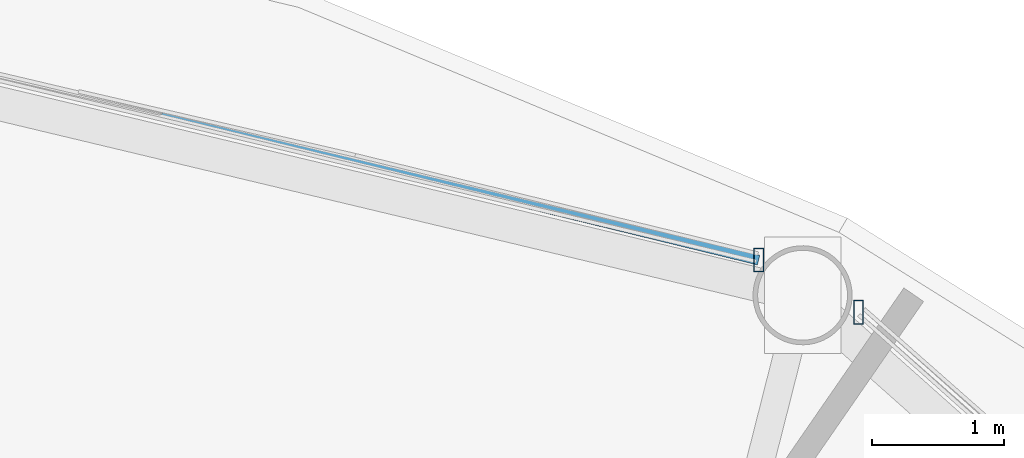
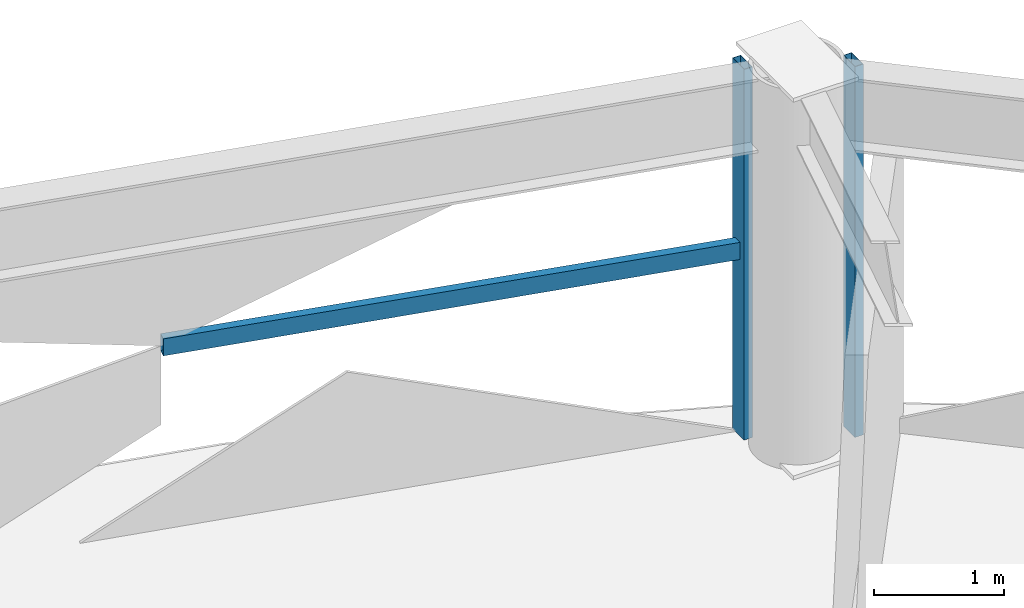
# One storey, part 21 of 31: 3 members, 2 elements without a shape of their own.
"""IFC4 building model written with IfcOpenShell, lengths in metres."""

import ifcopenshell
import ifcopenshell.guid

model = None  # the IFC model being written
_history = None  # IfcOwnerHistory: only IFC2X3 demands one
_inside = {}  # id of a spatial element -> (the spatial element, [elements in it])
_under = {}  # id of a project, library or spatial element -> (it, [spatial elements below it])
_declared = {}  # id of a project -> (the project, [libraries it declares])
_typed = {}  # id of a type object -> (the type object, [elements of that type])
_made_of = {}  # id of a material, layer set ... -> (it, [elements and type objects made of it])


def new_model(schema):
    """Start an empty IFC model of exactly this schema.

    Asked for "IFC4X3", IfcOpenShell would pick the latest addendum, in which some entities
    have other attributes; the version numbers below select the first issue.
    IFC2X3 requires an IfcOwnerHistory on every rooted entity: one is made here for all.
    """
    global model, _history
    if schema == "IFC4X3":
        model = ifcopenshell.file(schema_version=(4, 3, 0, 0))
    else:
        model = ifcopenshell.file(schema=schema)
    _inside.clear()
    _under.clear()
    _declared.clear()
    _typed.clear()
    _made_of.clear()
    _history = None
    if model.schema == "IFC2X3":
        org = make("IfcOrganization", Name="unknown")
        user = make(
            "IfcPersonAndOrganization",
            ThePerson=make("IfcPerson", FamilyName="unknown"),
            TheOrganization=org,
        )
        app = make(
            "IfcApplication",
            ApplicationDeveloper=org,
            Version="unknown",
            ApplicationFullName="unknown",
            ApplicationIdentifier="unknown",
        )
        _history = make(
            "IfcOwnerHistory",
            OwningUser=user,
            OwningApplication=app,
            ChangeAction="ADDED",
            CreationDate=0,
        )
    return model


def make(cls, **values):
    """One entity of the class cls with the attributes given. An attribute that is None is left unset."""
    return model.create_entity(
        cls, **{name: value for name, value in values.items() if value is not None}
    )


def rooted(cls, **values):
    """An entity with a GlobalId (a new one), such as an element, a storey or a relation."""
    return make(cls, GlobalId=ifcopenshell.guid.new(), OwnerHistory=_history, **values)


def si_unit(unit_type, name, prefix=None):
    """IfcSIUnit, for example si_unit("LENGTHUNIT", "METRE", prefix="MILLI")."""
    return make("IfcSIUnit", UnitType=unit_type, Prefix=prefix, Name=name)


def assignment(units):
    """IfcUnitAssignment: the units of a project."""
    return None if units is None else make("IfcUnitAssignment", Units=units)


def point(xyz):
    """IfcCartesianPoint."""
    return None if xyz is None else make("IfcCartesianPoint", Coordinates=xyz)


def direction(xyz):
    """IfcDirection."""
    return None if xyz is None else make("IfcDirection", DirectionRatios=xyz)


def frame(location, z_axis=None, x_axis=None):
    """IfcAxis2Placement3D, a coordinate frame: its origin and axes. An axis left out is left unset."""
    return make(
        "IfcAxis2Placement3D",
        Location=point(location),
        Axis=direction(z_axis),
        RefDirection=direction(x_axis),
    )


def frame_2d(location, x_axis=None):
    """IfcAxis2Placement2D, a coordinate frame in the plane: its origin and x axis."""
    return make(
        "IfcAxis2Placement2D", Location=point(location), RefDirection=direction(x_axis)
    )


def origin():
    """The frame at (0, 0, 0) with its axes left unset."""
    return frame((0.0, 0.0, 0.0))


def origin_2d():
    """The frame at (0, 0) in the plane with its x axis left unset."""
    return frame_2d((0.0, 0.0))


def place(relative_to, where):
    """IfcLocalPlacement: puts the frame where relative to a parent placement (None: the world)."""
    return make(
        "IfcLocalPlacement", PlacementRelTo=relative_to, RelativePlacement=where
    )


def context(
    kind, dimensions, precision=None, world=None, true_north=None, identifier=None
):
    """IfcGeometricRepresentationContext, for example the 3D "Model" context."""
    return make(
        "IfcGeometricRepresentationContext",
        ContextIdentifier=identifier,
        ContextType=kind,
        CoordinateSpaceDimension=dimensions,
        Precision=precision,
        WorldCoordinateSystem=world,
        TrueNorth=true_north,
    )


def subcontext(parent, identifier, kind, view, scale=None):
    """IfcGeometricRepresentationSubContext, for example "Body" below "Model"."""
    return make(
        "IfcGeometricRepresentationSubContext",
        ContextIdentifier=identifier,
        ContextType=kind,
        ParentContext=parent,
        TargetScale=scale,
        TargetView=view,
    )


def project(units=None, contexts=None):
    """IfcProject with its units and contexts."""
    return rooted(
        "IfcProject",
        Name="project",
        RepresentationContexts=contexts,
        UnitsInContext=assignment(units),
    )


def spatial(cls, under=None, at=None, **own):
    """A site, building, storey or space (cls), placed at a placement, below another one or the project."""
    s = rooted(cls, ObjectPlacement=at, **own)
    if under is not None:
        _under.setdefault(under.id(), (under, []))[1].append(s)
    return s


def profile(cls, at=None, kind="AREA", **sizes):
    """A parametric profile (cls). Its sizes go by their IFC names, for example OverallWidth=200.0."""
    return make(cls, ProfileType=kind, Position=at, **sizes)


def hollow_rectangle(**sizes):
    """IfcRectangleHollowProfileDef."""
    return profile("IfcRectangleHollowProfileDef", **sizes)


def extrude(swept, where, along, depth):
    """IfcExtrudedAreaSolid: the profile swept, set in the frame where, extruded along a direction by depth."""
    return make(
        "IfcExtrudedAreaSolid",
        SweptArea=swept,
        Position=where,
        ExtrudedDirection=direction(along),
        Depth=depth,
    )


def shape(context_of_items, identifier, shape_type, items):
    """IfcShapeRepresentation: the items that make up one representation, for example the "Body"."""
    return make(
        "IfcShapeRepresentation",
        ContextOfItems=context_of_items,
        RepresentationIdentifier=identifier,
        RepresentationType=shape_type,
        Items=items,
    )


def material(Name=None, Category=None):
    """IfcMaterial."""
    return make("IfcMaterial", Name=Name, Category=Category)


def layer(
    of_material, thickness, ventilated=None, Name=None, Category=None, Priority=None
):
    """IfcMaterialLayer: one layer of a wall or slab, of a material (None: an air gap)."""
    return make(
        "IfcMaterialLayer",
        Material=of_material,
        LayerThickness=thickness,
        IsVentilated=ventilated,
        Name=Name,
        Category=Category,
        Priority=Priority,
    )


def layer_set(layers, Name=None):
    """IfcMaterialLayerSet."""
    return make("IfcMaterialLayerSet", MaterialLayers=layers, LayerSetName=Name)


def material_profile(
    of_material, cross_section, Name=None, Category=None, Priority=None
):
    """IfcMaterialProfile: a cross section and its material."""
    return make(
        "IfcMaterialProfile",
        Name=Name,
        Material=of_material,
        Profile=cross_section,
        Priority=Priority,
        Category=Category,
    )


def profile_set(profiles, Name=None, composite=None):
    """IfcMaterialProfileSet."""
    return make(
        "IfcMaterialProfileSet",
        Name=Name,
        MaterialProfiles=profiles,
        CompositeProfile=composite,
    )


def made_of(thing, what):
    """Note that an element or type object is made of a material, layer set ...; save() writes the relation."""
    if what is not None:
        _made_of.setdefault(what.id(), (what, []))[1].append(thing)
    return thing


def type_object(cls, material=None, **own):
    """A type object (cls), such as IfcWallType, which elements share."""
    return made_of(rooted(cls, **own), material)


def element(
    cls,
    number,
    at=None,
    inside=None,
    cuts=None,
    type_object=None,
    material=None,
    context=None,
    identifier="Body",
    shape_type=None,
    held_by="IfcProductDefinitionShape",
    body=None,
    shapes=None,
    **own,
):
    """One element of the class cls, such as IfcWall. Its Tag is "e" and its number.

    at: its placement. inside: the storey or other place that contains it. cuts: it is an
    opening in that element (IfcRelVoidsElement). A single representation is given by context,
    identifier, shape_type and body (its items); several are given by shapes. held_by: the class
    of the entity that holds the representations. save() writes the other relations.
    """
    e = rooted(cls, Tag="e%d" % number, ObjectPlacement=at, **own)
    if body is not None:
        shapes = [shape(context, identifier, shape_type, body)]
    if shapes is not None:
        e.Representation = make(held_by, Representations=shapes)
    if inside is not None:
        _inside.setdefault(inside.id(), (inside, []))[1].append(e)
    if cuts is not None:
        rooted(
            "IfcRelVoidsElement", RelatingBuildingElement=cuts, RelatedOpeningElement=e
        )
    if type_object is not None:
        _typed.setdefault(type_object.id(), (type_object, []))[1].append(e)
    return made_of(e, material)


def aggregate(whole, parts):
    """IfcRelAggregates: a whole, such as a stair, and the parts it consists of."""
    return rooted("IfcRelAggregates", RelatingObject=whole, RelatedObjects=parts)


def save(model, path):
    """Write the relations noted so far, then the file.

    IfcRelAggregates (storeys below a building ...), IfcRelContainedInSpatialStructure (elements
    in a storey), IfcRelDefinesByType, IfcRelAssociatesMaterial and IfcRelDeclares: one each for
    every whole, place, type object, material and project.
    """
    for whole, parts in _under.values():
        aggregate(whole, parts)
    for where, things in _inside.values():
        rooted(
            "IfcRelContainedInSpatialStructure",
            RelatedElements=things,
            RelatingStructure=where,
        )
    for kind, things in _typed.values():
        rooted("IfcRelDefinesByType", RelatedObjects=things, RelatingType=kind)
    for what, things in _made_of.values():
        rooted("IfcRelAssociatesMaterial", RelatedObjects=things, RelatingMaterial=what)
    for by, libraries in _declared.values():
        rooted("IfcRelDeclares", RelatingContext=by, RelatedDefinitions=libraries)
    model.write(path)


model = new_model("IFC4")

# Units and contexts
model_context = context("Model", 3, precision=1e-05, world=origin(), true_north=direction((0.0, 1.0)))
body_context = subcontext(model_context, "Body", "Model", "MODEL_VIEW")
ifc_project = project(units=[si_unit("LENGTHUNIT", "METRE"), si_unit("AREAUNIT", "SQUARE_METRE"), si_unit("VOLUMEUNIT", "CUBIC_METRE"), si_unit("PLANEANGLEUNIT", "RADIAN"), si_unit("MASSUNIT", "GRAM", prefix="KILO")], contexts=[model_context])

# Site, building, storey
site_placement = place(None, origin())
site = spatial("IfcSite", under=ifc_project, at=site_placement, CompositionType="ELEMENT")
building_placement = place(site_placement, origin())
building = spatial("IfcBuilding", under=site, at=building_placement, Name="Vantalir Tower", CompositionType="ELEMENT")
storey_placement = place(building_placement, frame((0.0, 0.0, 115.949951171875)))
storey = spatial("IfcBuildingStorey", under=building, at=storey_placement, Name="L28", CompositionType="ELEMENT", Elevation=115.949951171875)

# Curtain wall, member
ifc_material_1 = material(Name="Champagne-silver PVDF aluminium and double-silver Low-E glass", Category="aluminium")
ifc_layer = layer(ifc_material_1, 0.199951171875)
ifc_layer_set = layer_set([ifc_layer], Name="Champagne-silver PVDF aluminium and double-silver Low-E glass")
curtain_wall_type = type_object("IfcCurtainWallType", Name="CW-DIAMOND-Z2", PredefinedType="USERDEFINED", material=ifc_layer_set)
curtain_wall_1_placement = place(storey_placement, origin())
curtain_wall_1 = element("IfcCurtainWall", 1, at=curtain_wall_1_placement, inside=storey, type_object=curtain_wall_type, Name="L28 Quilted Pyramid-Diamond Curtain Wall S02", ObjectType="UNITISED CURTAIN WALL", PredefinedType="USERDEFINED")
ifc_material_2 = material(Name="Champagne-silver PVDF aluminium 6063-T6", Category="aluminium")
ifc_material_profile_1 = material_profile(ifc_material_2, hollow_rectangle(XDim=0.074951171875, YDim=0.179931640625, WallThickness=0.00390625, at=origin_2d()), Name="Champagne-silver PVDF aluminium 6063-T6")
ifc_profile_set_1 = profile_set([ifc_material_profile_1], Name="Champagne-silver PVDF aluminium 6063-T6")
member_type_1 = type_object("IfcMemberType", Name="CWM-180x75", PredefinedType="MULLION", material=ifc_profile_set_1)
member_1_placement = place(storey_placement, frame((44.593017578125, 44.4140625, 0.045166015625), z_axis=(0.0, 0.0, 1.0), x_axis=(1.0, 0.0, 0.0)))
member_1 = element("IfcMember", 2, at=member_1_placement, type_object=member_type_1, Name="CW-L28-S02 Mullion 2", PredefinedType="MULLION", context=body_context, shape_type="SweptSolid", body=[
    extrude(hollow_rectangle(XDim=0.074951171875, YDim=0.179931640625, WallThickness=0.00390625, at=origin_2d()), origin(), (0.0, 0.0, 1.0), 3.47998046875),
])
aggregate(curtain_wall_1, [member_1])

# Curtain wall, members
curtain_wall_2_placement = place(storey_placement, origin())
curtain_wall_2 = element("IfcCurtainWall", 3, at=curtain_wall_2_placement, inside=storey, type_object=curtain_wall_type, Name="L28 Quilted Pyramid-Diamond Curtain Wall S03", ObjectType="UNITISED CURTAIN WALL", PredefinedType="USERDEFINED")
member_2_placement = place(storey_placement, frame((43.8369140625, 44.80908203125, 0.045166015625), z_axis=(0.0, 0.0, 1.0), x_axis=(1.0, 0.0, 0.0)))
member_2 = element("IfcMember", 4, at=member_2_placement, type_object=member_type_1, Name="CW-L28-S03 Mullion 1", PredefinedType="MULLION", context=body_context, shape_type="SweptSolid", body=[
    extrude(hollow_rectangle(XDim=0.074951171875, YDim=0.179931640625, WallThickness=0.00390625, at=origin_2d()), origin(), (0.0, 0.0, 1.0), 3.47998046875),
])
ifc_material_profile_2 = material_profile(ifc_material_2, hollow_rectangle(XDim=0.074951171875, YDim=0.159912109375, WallThickness=0.00390625, at=origin_2d()), Name="Champagne-silver PVDF aluminium 6063-T6")
ifc_profile_set_2 = profile_set([ifc_material_profile_2], Name="Champagne-silver PVDF aluminium 6063-T6")
member_type_2 = type_object("IfcMemberType", Name="CWT-160x75", PredefinedType="USERDEFINED", material=ifc_profile_set_2)
member_3_placement = place(storey_placement, frame((43.8369140625, 44.80908203125, 1.78515625), z_axis=(-0.971404658028, 0.237429969385, 0.0), x_axis=(-0.237429969385, -0.971404658028, 0.0)))
member_3 = element("IfcMember", 5, at=member_3_placement, type_object=member_type_2, Name="CW-L28-S03 Pyramid Fold Ridge Transom", ObjectType="TRANSOM", PredefinedType="USERDEFINED", context=body_context, shape_type="SweptSolid", body=[
    extrude(hollow_rectangle(XDim=0.074951171875, YDim=0.159912109375, WallThickness=0.00390625, at=origin_2d()), origin(), (0.0, 0.0, 1.0), 4.64990234375),
])
aggregate(curtain_wall_2, [member_2, member_3])

save(model, "model.ifc")
